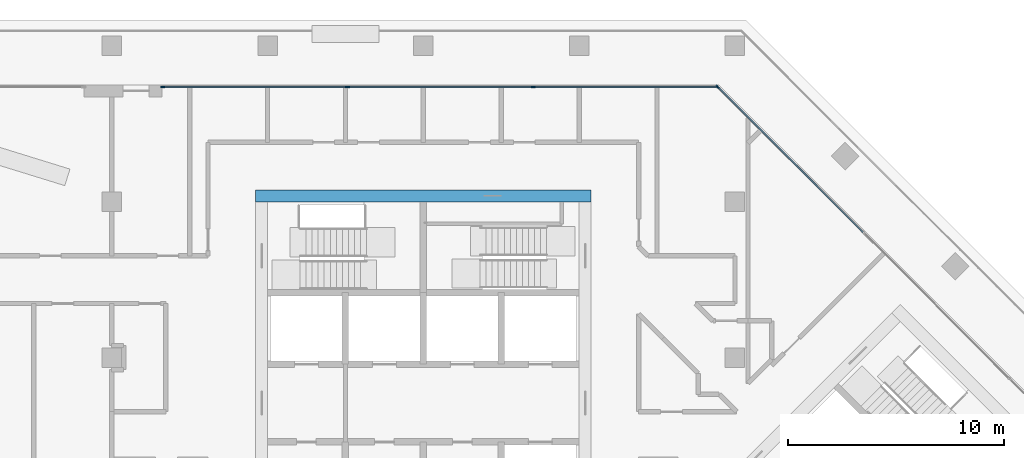
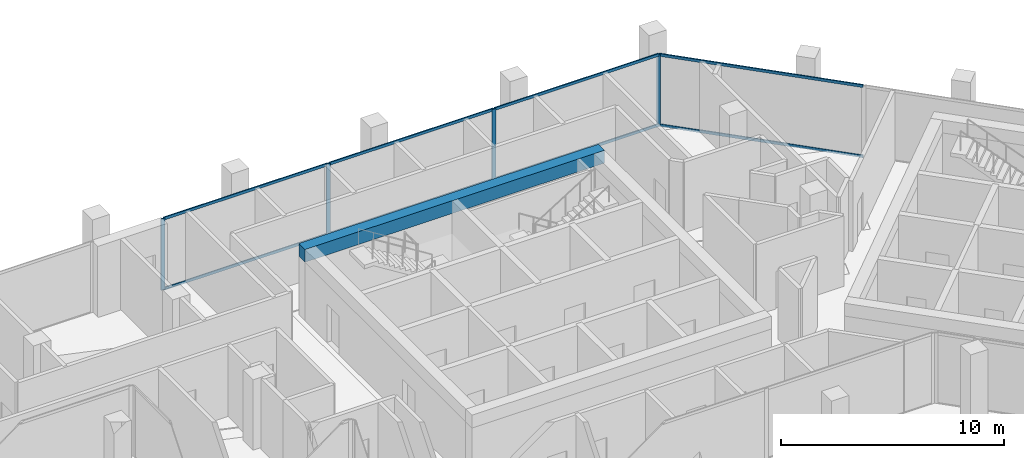
# One storey, part 6 of 19: 12 members, 1 beam, 2 elements without a shape of their own.
"""IFC4 building model written with IfcOpenShell, lengths in metres."""

from ifc_helpers import new_model, si_unit, direction, frame, origin, origin_2d, place, context, subcontext, project, spatial, rectangle, extrude, material, material_profile, profile_set, type_object, element, aggregate, save


model = new_model("IFC4")

# Units and contexts
model_context = context("Model", 3, precision=1e-05, world=origin(), true_north=direction((0.0, 1.0)))
body_context = subcontext(model_context, "Body", "Model", "MODEL_VIEW")
ifc_project = project(units=[si_unit("LENGTHUNIT", "METRE"), si_unit("AREAUNIT", "SQUARE_METRE"), si_unit("VOLUMEUNIT", "CUBIC_METRE"), si_unit("PLANEANGLEUNIT", "RADIAN"), si_unit("MASSUNIT", "GRAM", prefix="KILO")], contexts=[model_context])

# Site, building, storey
site_placement = place(None, origin())
site = spatial("IfcSite", under=ifc_project, at=site_placement, CompositionType="ELEMENT")
building_placement = place(site_placement, origin())
building = spatial("IfcBuilding", under=site, at=building_placement, Name="Windrow Commons", CompositionType="ELEMENT")
storey_placement = place(building_placement, frame((0.0, 0.0, 185.4)))
storey = spatial("IfcBuildingStorey", under=building, at=storey_placement, Name="L50", CompositionType="ELEMENT", Elevation=185.4)

# Curtain wall, member
ifc_material_1 = material(Name="Clear laminated glass in Aluminium 6063-T6 anodised frame", Category="aluminium")
curtain_wall_type = type_object("IfcCurtainWallType", Name="Curtain wall CW2H sky lounge upper", PredefinedType="USERDEFINED", material=ifc_material_1)
placement = place(storey_placement, origin())
curtain_wall_1 = element("IfcCurtainWall", 1, at=placement, inside=storey, type_object=curtain_wall_type, Name="Curtain wall CW2H L50 3", ObjectType="UNITISED", PredefinedType="USERDEFINED")
ifc_material_2 = material(Name="Aluminium 6063-T6", Category="aluminium")
ifc_material_profile_1 = material_profile(ifc_material_2, rectangle(XDim=0.06, YDim=0.2, at=origin_2d()))
ifc_profile_set_1 = profile_set([ifc_material_profile_1], Name="Aluminium 6063-T6")
member_type_1 = type_object("IfcMemberType", Name="CW2H mullion 60x200", PredefinedType="MULLION", material=ifc_profile_set_1)
member_1_placement = place(storey_placement, frame((78.4049, 70.1081, 0.0), z_axis=(0.0, 0.0, 1.0), x_axis=(-0.7071067812, -0.7071067812, 0.0)))
member_1 = element("IfcMember", 2, at=member_1_placement, type_object=member_type_1, Name="CW2H mullion 4", PredefinedType="MULLION", context=body_context, shape_type="SweptSolid", body=[
    extrude(rectangle(XDim=0.06, YDim=0.2, at=origin_2d()), origin(), (0.0, 0.0, 1.0), 3.9),
])

# Curtain wall, members
curtain_wall_2 = element("IfcCurtainWall", 3, at=placement, inside=storey, type_object=curtain_wall_type, Name="Curtain wall CW2H L50 4.1", ObjectType="UNITISED", PredefinedType="USERDEFINED")
member_2_placement = place(storey_placement, frame((69.8787, 70.1, 0.0), z_axis=(0.0, 0.0, 1.0), x_axis=(0.0, -1.0, 0.0)))
member_2 = element("IfcMember", 4, at=member_2_placement, type_object=member_type_1, Name="CW2H mullion 2", PredefinedType="MULLION", context=body_context, shape_type="SweptSolid", body=[
    extrude(rectangle(XDim=0.06, YDim=0.2, at=origin_2d()), origin(), (0.0, 0.0, 1.0), 3.9),
])
member_3_placement = place(storey_placement, frame((61.3031, 70.1, 0.0), z_axis=(0.0, 0.0, 1.0), x_axis=(0.0, -1.0, 0.0)))
member_3 = element("IfcMember", 5, at=member_3_placement, type_object=member_type_1, Name="CW2H mullion 3", PredefinedType="MULLION", context=body_context, shape_type="SweptSolid", body=[
    extrude(rectangle(XDim=0.06, YDim=0.2, at=origin_2d()), origin(), (0.0, 0.0, 1.0), 3.9),
])
member_4_placement = place(storey_placement, frame((52.7574, 70.1, 0.0), z_axis=(0.0, 0.0, 1.0), x_axis=(0.0, -1.0, 0.0)))
member_4 = element("IfcMember", 6, at=member_4_placement, type_object=member_type_1, Name="CW2H mullion 4", PredefinedType="MULLION", context=body_context, shape_type="SweptSolid", body=[
    extrude(rectangle(XDim=0.06, YDim=0.2, at=origin_2d()), origin(), (0.0, 0.0, 1.0), 3.9),
])

# Member
ifc_material_3 = material(Name="Aluminium 6063-T6", Category="aluminium")
ifc_material_profile_2 = material_profile(ifc_material_3, rectangle(XDim=0.06, YDim=0.15, at=origin_2d()))
ifc_profile_set_2 = profile_set([ifc_material_profile_2], Name="Aluminium 6063-T6")
member_type_2 = type_object("IfcMemberType", Name="CW2H transom 60x150", PredefinedType="USERDEFINED", material=ifc_profile_set_2)
member_5_placement = place(storey_placement, frame((85.1164, 63.3966, 0.03), z_axis=(-0.7071067812, 0.7071067812, 0.0), x_axis=(-0.7071067812, -0.7071067812, 0.0)))
member_5 = element("IfcMember", 7, at=member_5_placement, type_object=member_type_2, Name="CW2H transom 3.1", ObjectType="TRANSOM", PredefinedType="USERDEFINED", context=body_context, shape_type="SweptSolid", body=[
    extrude(rectangle(XDim=0.06, YDim=0.15, at=origin_2d()), origin(), (0.0, 0.0, 1.0), 9.4615),
])

member_6_placement = place(storey_placement, frame((85.1164, 63.3966, 3.87), z_axis=(-0.7071067812, 0.7071067812, 0.0), x_axis=(-0.7071067812, -0.7071067812, 0.0)))
member_6 = element("IfcMember", 8, at=member_6_placement, type_object=member_type_2, Name="CW2H transom 3.2", ObjectType="TRANSOM", PredefinedType="USERDEFINED", context=body_context, shape_type="SweptSolid", body=[
    extrude(rectangle(XDim=0.06, YDim=0.15, at=origin_2d()), origin(), (0.0, 0.0, 1.0), 9.4615),
])

aggregate(curtain_wall_1, [member_1, member_5, member_6])

member_7_placement = place(storey_placement, frame((78.3944, 70.1, 0.03), z_axis=(-1.0, 0.0, 0.0), x_axis=(0.0, -1.0, 0.0)))
member_7 = element("IfcMember", 9, at=member_7_placement, type_object=member_type_2, Name="CW2H transom 1.1", ObjectType="TRANSOM", PredefinedType="USERDEFINED", context=body_context, shape_type="SweptSolid", body=[
    extrude(rectangle(XDim=0.06, YDim=0.15, at=origin_2d()), origin(), (0.0, 0.0, 1.0), 8.4857),
])

member_8_placement = place(storey_placement, frame((78.3944, 70.1, 3.87), z_axis=(-1.0, 0.0, 0.0), x_axis=(0.0, -1.0, 0.0)))
member_8 = element("IfcMember", 10, at=member_8_placement, type_object=member_type_2, Name="CW2H transom 1.2", ObjectType="TRANSOM", PredefinedType="USERDEFINED", context=body_context, shape_type="SweptSolid", body=[
    extrude(rectangle(XDim=0.06, YDim=0.15, at=origin_2d()), origin(), (0.0, 0.0, 1.0), 8.4857),
])

member_9_placement = place(storey_placement, frame((69.8487, 70.1, 0.03), z_axis=(-1.0, 0.0, 0.0), x_axis=(0.0, -1.0, 0.0)))
member_9 = element("IfcMember", 11, at=member_9_placement, type_object=member_type_2, Name="CW2H transom 2.1", ObjectType="TRANSOM", PredefinedType="USERDEFINED", context=body_context, shape_type="SweptSolid", body=[
    extrude(rectangle(XDim=0.06, YDim=0.15, at=origin_2d()), origin(), (0.0, 0.0, 1.0), 8.5156),
])

member_10_placement = place(storey_placement, frame((69.8487, 70.1, 3.87), z_axis=(-1.0, 0.0, 0.0), x_axis=(0.0, -1.0, 0.0)))
member_10 = element("IfcMember", 12, at=member_10_placement, type_object=member_type_2, Name="CW2H transom 2.2", ObjectType="TRANSOM", PredefinedType="USERDEFINED", context=body_context, shape_type="SweptSolid", body=[
    extrude(rectangle(XDim=0.06, YDim=0.15, at=origin_2d()), origin(), (0.0, 0.0, 1.0), 8.5156),
])

member_11_placement = place(storey_placement, frame((61.2731, 70.1, 0.03), z_axis=(-1.0, 0.0, 0.0), x_axis=(0.0, -1.0, 0.0)))
member_11 = element("IfcMember", 13, at=member_11_placement, type_object=member_type_2, Name="CW2H transom 3.1", ObjectType="TRANSOM", PredefinedType="USERDEFINED", context=body_context, shape_type="SweptSolid", body=[
    extrude(rectangle(XDim=0.06, YDim=0.15, at=origin_2d()), origin(), (0.0, 0.0, 1.0), 8.4857),
])

member_12_placement = place(storey_placement, frame((61.2731, 70.1, 3.87), z_axis=(-1.0, 0.0, 0.0), x_axis=(0.0, -1.0, 0.0)))
member_12 = element("IfcMember", 14, at=member_12_placement, type_object=member_type_2, Name="CW2H transom 3.2", ObjectType="TRANSOM", PredefinedType="USERDEFINED", context=body_context, shape_type="SweptSolid", body=[
    extrude(rectangle(XDim=0.06, YDim=0.15, at=origin_2d()), origin(), (0.0, 0.0, 1.0), 8.4857),
])

aggregate(curtain_wall_2, [member_2, member_3, member_4, member_7, member_8, member_9, member_10, member_11, member_12])

# Beam
ifc_material_4 = material(Name="Concrete C50/60", Category="concrete")
ifc_material_profile_3 = material_profile(ifc_material_4, rectangle(XDim=0.55, YDim=0.7, at=origin_2d()))
ifc_profile_set_3 = profile_set([ifc_material_profile_3], Name="Concrete C50/60")
beam_type = type_object("IfcBeamType", Name="RC COUPLING BEAM 550x700 C50/60", PredefinedType="LINTEL", material=ifc_profile_set_3)
beam_placement = place(storey_placement, frame((57.05, 65.075, 3.55), z_axis=(1.0, 0.0, 0.0), x_axis=(0.0, 1.0, 0.0)))
element("IfcBeam", 15, at=beam_placement, inside=storey, type_object=beam_type, Name="Core A coupling beam outer-N", PredefinedType="LINTEL", context=body_context, shape_type="SweptSolid", body=[
    extrude(rectangle(XDim=0.55, YDim=0.7, at=origin_2d()), origin(), (0.0, 0.0, 1.0), 15.5),
])

save(model, "model.ifc")
